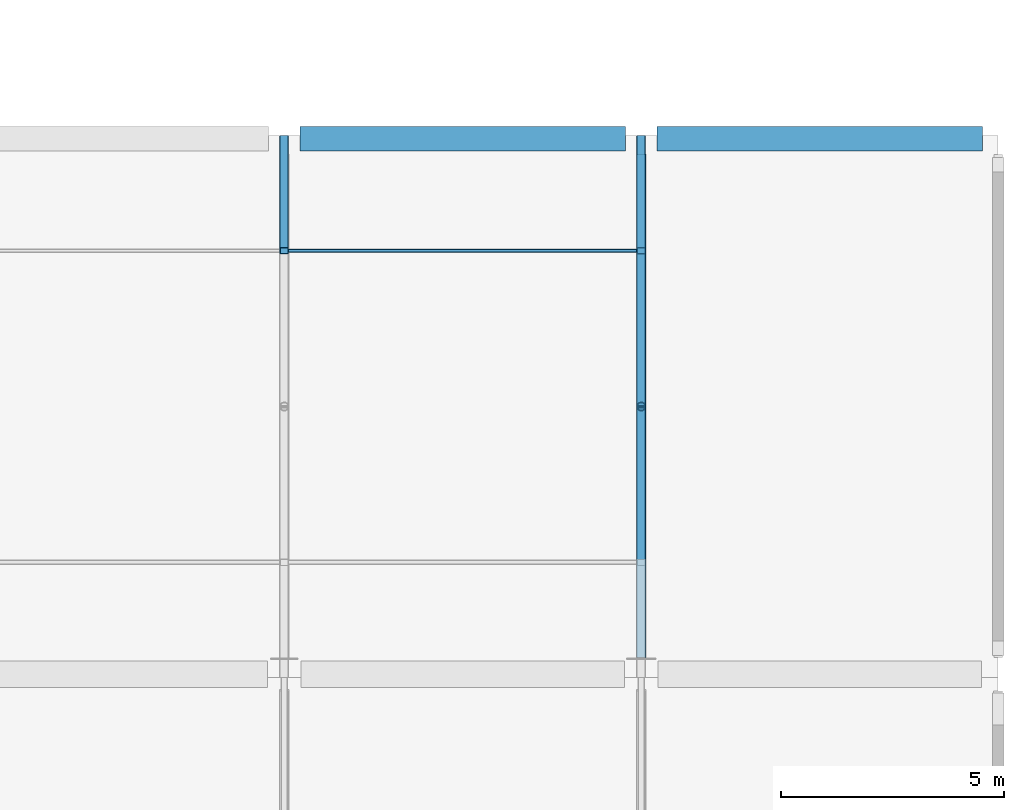
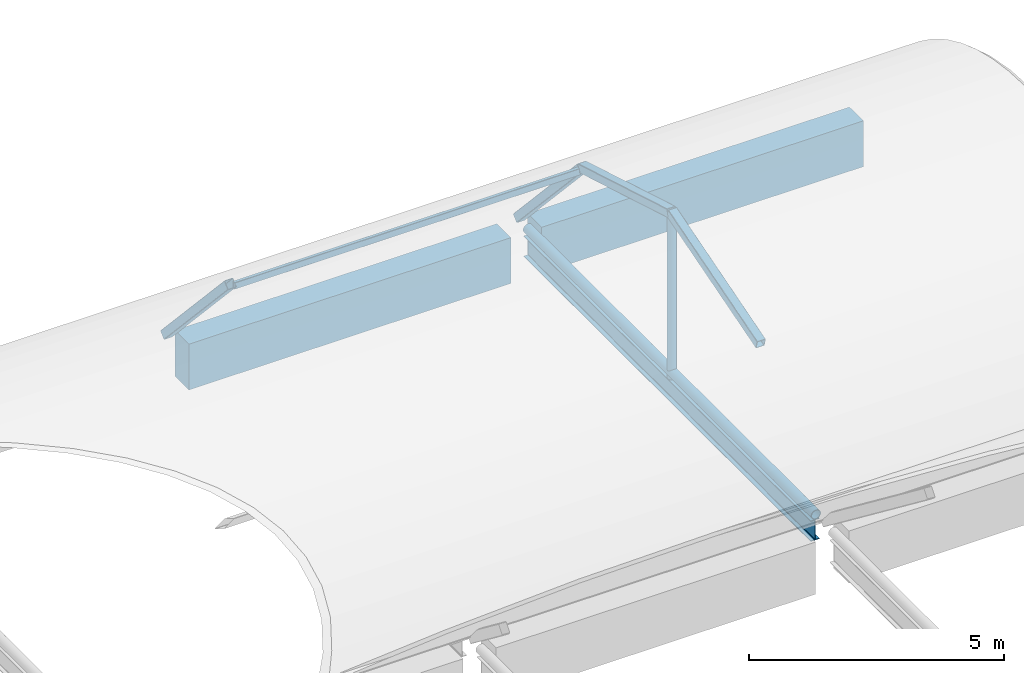
# One storey, part 40 of 57: 7 members, 3 beams.
"""IFC4 building model written with IfcOpenShell, lengths in metres."""

import ifcopenshell
import ifcopenshell.guid

model = None  # the IFC model being written
_history = None  # IfcOwnerHistory: only IFC2X3 demands one
_inside = {}  # id of a spatial element -> (the spatial element, [elements in it])
_under = {}  # id of a project, library or spatial element -> (it, [spatial elements below it])
_declared = {}  # id of a project -> (the project, [libraries it declares])
_typed = {}  # id of a type object -> (the type object, [elements of that type])
_made_of = {}  # id of a material, layer set ... -> (it, [elements and type objects made of it])


def new_model(schema):
    """Start an empty IFC model of exactly this schema.

    Asked for "IFC4X3", IfcOpenShell would pick the latest addendum, in which some entities
    have other attributes; the version numbers below select the first issue.
    IFC2X3 requires an IfcOwnerHistory on every rooted entity: one is made here for all.
    """
    global model, _history
    if schema == "IFC4X3":
        model = ifcopenshell.file(schema_version=(4, 3, 0, 0))
    else:
        model = ifcopenshell.file(schema=schema)
    _inside.clear()
    _under.clear()
    _declared.clear()
    _typed.clear()
    _made_of.clear()
    _history = None
    if model.schema == "IFC2X3":
        org = make("IfcOrganization", Name="unknown")
        user = make(
            "IfcPersonAndOrganization",
            ThePerson=make("IfcPerson", FamilyName="unknown"),
            TheOrganization=org,
        )
        app = make(
            "IfcApplication",
            ApplicationDeveloper=org,
            Version="unknown",
            ApplicationFullName="unknown",
            ApplicationIdentifier="unknown",
        )
        _history = make(
            "IfcOwnerHistory",
            OwningUser=user,
            OwningApplication=app,
            ChangeAction="ADDED",
            CreationDate=0,
        )
    return model


def make(cls, **values):
    """One entity of the class cls with the attributes given. An attribute that is None is left unset."""
    return model.create_entity(
        cls, **{name: value for name, value in values.items() if value is not None}
    )


def rooted(cls, **values):
    """An entity with a GlobalId (a new one), such as an element, a storey or a relation."""
    return make(cls, GlobalId=ifcopenshell.guid.new(), OwnerHistory=_history, **values)


def si_unit(unit_type, name, prefix=None):
    """IfcSIUnit, for example si_unit("LENGTHUNIT", "METRE", prefix="MILLI")."""
    return make("IfcSIUnit", UnitType=unit_type, Prefix=prefix, Name=name)


def assignment(units):
    """IfcUnitAssignment: the units of a project."""
    return None if units is None else make("IfcUnitAssignment", Units=units)


def point(xyz):
    """IfcCartesianPoint."""
    return None if xyz is None else make("IfcCartesianPoint", Coordinates=xyz)


def direction(xyz):
    """IfcDirection."""
    return None if xyz is None else make("IfcDirection", DirectionRatios=xyz)


def frame(location, z_axis=None, x_axis=None):
    """IfcAxis2Placement3D, a coordinate frame: its origin and axes. An axis left out is left unset."""
    return make(
        "IfcAxis2Placement3D",
        Location=point(location),
        Axis=direction(z_axis),
        RefDirection=direction(x_axis),
    )


def frame_2d(location, x_axis=None):
    """IfcAxis2Placement2D, a coordinate frame in the plane: its origin and x axis."""
    return make(
        "IfcAxis2Placement2D", Location=point(location), RefDirection=direction(x_axis)
    )


def origin():
    """The frame at (0, 0, 0) with its axes left unset."""
    return frame((0.0, 0.0, 0.0))


def origin_2d():
    """The frame at (0, 0) in the plane with its x axis left unset."""
    return frame_2d((0.0, 0.0))


def place(relative_to, where):
    """IfcLocalPlacement: puts the frame where relative to a parent placement (None: the world)."""
    return make(
        "IfcLocalPlacement", PlacementRelTo=relative_to, RelativePlacement=where
    )


def context(
    kind, dimensions, precision=None, world=None, true_north=None, identifier=None
):
    """IfcGeometricRepresentationContext, for example the 3D "Model" context."""
    return make(
        "IfcGeometricRepresentationContext",
        ContextIdentifier=identifier,
        ContextType=kind,
        CoordinateSpaceDimension=dimensions,
        Precision=precision,
        WorldCoordinateSystem=world,
        TrueNorth=true_north,
    )


def subcontext(parent, identifier, kind, view, scale=None):
    """IfcGeometricRepresentationSubContext, for example "Body" below "Model"."""
    return make(
        "IfcGeometricRepresentationSubContext",
        ContextIdentifier=identifier,
        ContextType=kind,
        ParentContext=parent,
        TargetScale=scale,
        TargetView=view,
    )


def project(units=None, contexts=None):
    """IfcProject with its units and contexts."""
    return rooted(
        "IfcProject",
        Name="project",
        RepresentationContexts=contexts,
        UnitsInContext=assignment(units),
    )


def spatial(cls, under=None, at=None, **own):
    """A site, building, storey or space (cls), placed at a placement, below another one or the project."""
    s = rooted(cls, ObjectPlacement=at, **own)
    if under is not None:
        _under.setdefault(under.id(), (under, []))[1].append(s)
    return s


def profile(cls, at=None, kind="AREA", **sizes):
    """A parametric profile (cls). Its sizes go by their IFC names, for example OverallWidth=200.0."""
    return make(cls, ProfileType=kind, Position=at, **sizes)


def rectangle(**sizes):
    """IfcRectangleProfileDef."""
    return profile("IfcRectangleProfileDef", **sizes)


def hollow_rectangle(**sizes):
    """IfcRectangleHollowProfileDef."""
    return profile("IfcRectangleHollowProfileDef", **sizes)


def hollow_circle(**sizes):
    """IfcCircleHollowProfileDef."""
    return profile("IfcCircleHollowProfileDef", **sizes)


def i_section(**sizes):
    """IfcIShapeProfileDef."""
    return profile("IfcIShapeProfileDef", **sizes)


def extrude(swept, where, along, depth):
    """IfcExtrudedAreaSolid: the profile swept, set in the frame where, extruded along a direction by depth."""
    return make(
        "IfcExtrudedAreaSolid",
        SweptArea=swept,
        Position=where,
        ExtrudedDirection=direction(along),
        Depth=depth,
    )


def shape(context_of_items, identifier, shape_type, items):
    """IfcShapeRepresentation: the items that make up one representation, for example the "Body"."""
    return make(
        "IfcShapeRepresentation",
        ContextOfItems=context_of_items,
        RepresentationIdentifier=identifier,
        RepresentationType=shape_type,
        Items=items,
    )


def material(Name=None, Category=None):
    """IfcMaterial."""
    return make("IfcMaterial", Name=Name, Category=Category)


def material_profile(
    of_material, cross_section, Name=None, Category=None, Priority=None
):
    """IfcMaterialProfile: a cross section and its material."""
    return make(
        "IfcMaterialProfile",
        Name=Name,
        Material=of_material,
        Profile=cross_section,
        Priority=Priority,
        Category=Category,
    )


def profile_set(profiles, Name=None, composite=None):
    """IfcMaterialProfileSet."""
    return make(
        "IfcMaterialProfileSet",
        Name=Name,
        MaterialProfiles=profiles,
        CompositeProfile=composite,
    )


def made_of(thing, what):
    """Note that an element or type object is made of a material, layer set ...; save() writes the relation."""
    if what is not None:
        _made_of.setdefault(what.id(), (what, []))[1].append(thing)
    return thing


def type_object(cls, material=None, **own):
    """A type object (cls), such as IfcWallType, which elements share."""
    return made_of(rooted(cls, **own), material)


def element(
    cls,
    number,
    at=None,
    inside=None,
    cuts=None,
    type_object=None,
    material=None,
    context=None,
    identifier="Body",
    shape_type=None,
    held_by="IfcProductDefinitionShape",
    body=None,
    shapes=None,
    **own,
):
    """One element of the class cls, such as IfcWall. Its Tag is "e" and its number.

    at: its placement. inside: the storey or other place that contains it. cuts: it is an
    opening in that element (IfcRelVoidsElement). A single representation is given by context,
    identifier, shape_type and body (its items); several are given by shapes. held_by: the class
    of the entity that holds the representations. save() writes the other relations.
    """
    e = rooted(cls, Tag="e%d" % number, ObjectPlacement=at, **own)
    if body is not None:
        shapes = [shape(context, identifier, shape_type, body)]
    if shapes is not None:
        e.Representation = make(held_by, Representations=shapes)
    if inside is not None:
        _inside.setdefault(inside.id(), (inside, []))[1].append(e)
    if cuts is not None:
        rooted(
            "IfcRelVoidsElement", RelatingBuildingElement=cuts, RelatedOpeningElement=e
        )
    if type_object is not None:
        _typed.setdefault(type_object.id(), (type_object, []))[1].append(e)
    return made_of(e, material)


def aggregate(whole, parts):
    """IfcRelAggregates: a whole, such as a stair, and the parts it consists of."""
    return rooted("IfcRelAggregates", RelatingObject=whole, RelatedObjects=parts)


def save(model, path):
    """Write the relations noted so far, then the file.

    IfcRelAggregates (storeys below a building ...), IfcRelContainedInSpatialStructure (elements
    in a storey), IfcRelDefinesByType, IfcRelAssociatesMaterial and IfcRelDeclares: one each for
    every whole, place, type object, material and project.
    """
    for whole, parts in _under.values():
        aggregate(whole, parts)
    for where, things in _inside.values():
        rooted(
            "IfcRelContainedInSpatialStructure",
            RelatedElements=things,
            RelatingStructure=where,
        )
    for kind, things in _typed.values():
        rooted("IfcRelDefinesByType", RelatedObjects=things, RelatingType=kind)
    for what, things in _made_of.values():
        rooted("IfcRelAssociatesMaterial", RelatedObjects=things, RelatingMaterial=what)
    for by, libraries in _declared.values():
        rooted("IfcRelDeclares", RelatingContext=by, RelatedDefinitions=libraries)
    model.write(path)


model = new_model("IFC4")

# Units and contexts
model_context = context("Model", 3, precision=1e-05, world=origin(), true_north=direction((0.0, 1.0)))
body_context = subcontext(model_context, "Body", "Model", "MODEL_VIEW")
ifc_project = project(units=[si_unit("LENGTHUNIT", "METRE"), si_unit("AREAUNIT", "SQUARE_METRE"), si_unit("VOLUMEUNIT", "CUBIC_METRE"), si_unit("PLANEANGLEUNIT", "RADIAN"), si_unit("MASSUNIT", "GRAM", prefix="KILO"), si_unit("THERMODYNAMICTEMPERATUREUNIT", "KELVIN"), si_unit("POWERUNIT", "WATT")], contexts=[model_context])

# Site, building, storey
site_placement = place(None, origin())
site = spatial("IfcSite", under=ifc_project, at=site_placement, CompositionType="ELEMENT")
building_placement = place(site_placement, origin())
building = spatial("IfcBuilding", under=site, at=building_placement, Name="Kronsvod Quay Wholesale Market", CompositionType="ELEMENT")
storey_placement = place(building_placement, frame((0.0, 0.0, 13.199951171875)))
storey = spatial("IfcBuildingStorey", under=building, at=storey_placement, Name="L03", CompositionType="ELEMENT", Elevation=13.199951171875)

# Beams
ifc_material_1 = material(Name="Precast concrete C40/50", Category="concrete")
ifc_material_profile_1 = material_profile(ifc_material_1, rectangle(XDim=0.550048828125, YDim=1.10009765625, at=origin_2d()), Name="PCVG550x1100")
ifc_profile_set_1 = profile_set([ifc_material_profile_1], Name="Precast concrete C40/50")
beam_type_1 = type_object("IfcBeamType", Name="Girder_PCVG550x1100", PredefinedType="T_BEAM", material=ifc_profile_set_1)
for number, where, z_axis, x_axis, name in (
    (1, (176.35009765625, 90.0, -0.77001953125), (1.0, 0.0, 0.0), (0.0, 1.0, 0.0), "BMX-L03-1760-900"),
    (2, (184.35009765625, 90.0, -0.77001953125), (1.0, 0.0, 0.0), (0.0, 1.0, 0.0), "BMX-L03-1840-900"),
):
    element("IfcBeam", number, at=place(storey_placement, frame(where, z_axis=z_axis, x_axis=x_axis)), inside=storey, type_object=beam_type_1, Name=name, PredefinedType="T_BEAM", context=body_context, shape_type="SweptSolid", body=[
        extrude(rectangle(XDim=0.550048828125, YDim=1.10009765625, at=origin_2d()), origin(), (0.0, 0.0, 1.0), 7.2998046875),
    ])
ifc_material_2 = material(Name="Steel S355", Category="steel")
ifc_material_profile_2 = material_profile(ifc_material_2, i_section(OverallWidth=0.198974609375, OverallDepth=0.49609375, WebThickness=0.009033203125, FlangeThickness=0.013916015625, FilletRadius=0.02001953125, at=origin_2d()), Name="50B1")
ifc_profile_set_2 = profile_set([ifc_material_profile_2], Name="Steel S355")
beam_type_2 = type_object("IfcBeamType", Name="Girder_Steel50B1", PredefinedType="T_BEAM", material=ifc_profile_set_2)
beam_placement = place(storey_placement, frame((184.0, 78.375, -0.468017578125), z_axis=(0.0, 1.0, 0.0), x_axis=(-1.0, 0.0, 0.0)))
element("IfcBeam", 3, at=beam_placement, inside=storey, type_object=beam_type_2, Name="BMY-L03-1840-780", PredefinedType="T_BEAM", context=body_context, shape_type="SweptSolid", body=[
    extrude(i_section(OverallWidth=0.198974609375, OverallDepth=0.49609375, WebThickness=0.009033203125, FlangeThickness=0.013916015625, FilletRadius=0.02001953125, at=origin_2d()), origin(), (0.0, 0.0, 1.0), 11.27490234375),
])

# Members
ifc_material_3 = material(Name="Steel S355", Category="steel")
ifc_material_profile_3 = material_profile(ifc_material_3, hollow_rectangle(XDim=0.199951171875, YDim=0.199951171875, WallThickness=0.010009765625, InnerFilletRadius=0.010009765625, OuterFilletRadius=0.02001953125, at=origin_2d()), Name="RHS200x200x10")
ifc_profile_set_3 = profile_set([ifc_material_profile_3], Name="Steel S355")
member_type_1 = type_object("IfcMemberType", Name="Member_Arch200x200", PredefinedType="RAFTER", material=ifc_profile_set_3)
member_1_placement = place(storey_placement, frame((176.0, 87.490966796875, 2.705322265625), z_axis=(0.0, 0.67865576732, -0.734456499381), x_axis=(-1.0, 0.0, 0.0)))
element("IfcMember", 4, at=member_1_placement, inside=storey, type_object=member_type_1, Name="ARCG-SH-V2E-N-1760-3", PredefinedType="RAFTER", context=body_context, shape_type="SweptSolid", body=[
    extrude(hollow_rectangle(XDim=0.199951171875, YDim=0.199951171875, WallThickness=0.010009765625, InnerFilletRadius=0.010009765625, OuterFilletRadius=0.02001953125, at=origin_2d()), origin(), (0.0, 0.0, 1.0), 3.697021484375),
])
for number, where, z_axis, x_axis, name in (
    (5, (184.0, 80.509033203125, 2.705322265625), (0.0, 0.95877511068, 0.284165950001), (-1.0, 0.0, 0.0), "ARCG-SH-V2E-N-1840-1"),
    (6, (184.0, 84.0, 3.739990234375), (0.0, 0.95877511068, -0.284165950001), (-1.0, 0.0, 0.0), "ARCG-SH-V2E-N-1840-2"),
):
    element("IfcMember", number, at=place(storey_placement, frame(where, z_axis=z_axis, x_axis=x_axis)), inside=storey, type_object=member_type_1, Name=name, PredefinedType="RAFTER", context=body_context, shape_type="SweptSolid", body=[
        extrude(hollow_rectangle(XDim=0.199951171875, YDim=0.199951171875, WallThickness=0.010009765625, InnerFilletRadius=0.010009765625, OuterFilletRadius=0.02001953125, at=origin_2d()), origin(), (0.0, 0.0, 1.0), 3.64111328125),
    ])
member_2_placement = place(storey_placement, frame((184.0, 87.490966796875, 2.705322265625), z_axis=(0.0, 0.67865576732, -0.734456499381), x_axis=(-1.0, 0.0, 0.0)))
element("IfcMember", 7, at=member_2_placement, inside=storey, type_object=member_type_1, Name="ARCG-SH-V2E-N-1840-3", PredefinedType="RAFTER", context=body_context, shape_type="SweptSolid", body=[
    extrude(hollow_rectangle(XDim=0.199951171875, YDim=0.199951171875, WallThickness=0.010009765625, InnerFilletRadius=0.010009765625, OuterFilletRadius=0.02001953125, at=origin_2d()), origin(), (0.0, 0.0, 1.0), 3.697021484375),
])
ifc_material_4 = material(Name="Steel S355", Category="steel")
ifc_material_profile_4 = material_profile(ifc_material_4, hollow_circle(Radius=0.096923828125, WallThickness=0.008056640625, at=origin_2d()), Name="CHS194x8")
ifc_profile_set_4 = profile_set([ifc_material_profile_4], Name="Steel S355")
member_type_2 = type_object("IfcMemberType", Name="Member_Brace194x8", PredefinedType="BRACE", material=ifc_profile_set_4)
member_3_placement = place(storey_placement, frame((184.0, 84.0, -0.22998046875), z_axis=(0.0, 0.0, 1.0), x_axis=(1.0, 0.0, 0.0)))
element("IfcMember", 8, at=member_3_placement, inside=storey, type_object=member_type_2, Name="KPST-SH-V2E-N-1840", PredefinedType="BRACE", context=body_context, shape_type="SweptSolid", body=[
    extrude(hollow_circle(Radius=0.096923828125, WallThickness=0.008056640625, at=origin_2d()), origin(), (0.0, 0.0, 1.0), 3.969970703125),
])
ifc_material_5 = material(Name="Steel S355", Category="steel")
ifc_material_profile_5 = material_profile(ifc_material_5, hollow_circle(Radius=0.109619140625, WallThickness=0.010009765625, at=origin_2d()), Name="CHS219x10")
ifc_profile_set_5 = profile_set([ifc_material_profile_5], Name="Steel S355")
member_type_3 = type_object("IfcMemberType", Name="Member_Chord219x10", PredefinedType="CHORD", material=ifc_profile_set_5)
member_4_placement = place(storey_placement, frame((184.0, 78.340087890625, -0.079833984375), z_axis=(0.0, 1.0, 0.0), x_axis=(-1.0, 0.0, 0.0)))
element("IfcMember", 9, at=member_4_placement, inside=storey, type_object=member_type_3, Name="CHDG-SH-V2E-N-1840", PredefinedType="CHORD", context=body_context, shape_type="SweptSolid", body=[
    extrude(hollow_circle(Radius=0.109619140625, WallThickness=0.010009765625, at=origin_2d()), origin(), (0.0, 0.0, 1.0), 11.31982421875),
])
ifc_material_6 = material(Name="Steel S355", Category="steel")
ifc_material_profile_6 = material_profile(ifc_material_6, hollow_rectangle(XDim=0.080078125, YDim=0.159912109375, WallThickness=0.006103515625, InnerFilletRadius=0.006103515625, OuterFilletRadius=0.011962890625, at=origin_2d()), Name="RHS160x80x6")
ifc_profile_set_6 = profile_set([ifc_material_profile_6], Name="Steel S355")
member_type_4 = type_object("IfcMemberType", Name="Member_Purlin160x80", PredefinedType="PURLIN", material=ifc_profile_set_6)
member_5_placement = place(storey_placement, frame((176.080078125, 87.490966796875, 2.645263671875), z_axis=(1.0, 0.0, 0.0), x_axis=(0.0, 1.0, 0.0)))
element("IfcMember", 10, at=member_5_placement, inside=storey, type_object=member_type_4, Name="PRLG-SH-V2E-N-5-1", PredefinedType="PURLIN", context=body_context, shape_type="SweptSolid", body=[
    extrude(hollow_rectangle(XDim=0.080078125, YDim=0.159912109375, WallThickness=0.006103515625, InnerFilletRadius=0.006103515625, OuterFilletRadius=0.011962890625, at=origin_2d()), origin(), (0.0, 0.0, 1.0), 7.83984375),
])

save(model, "model.ifc")
